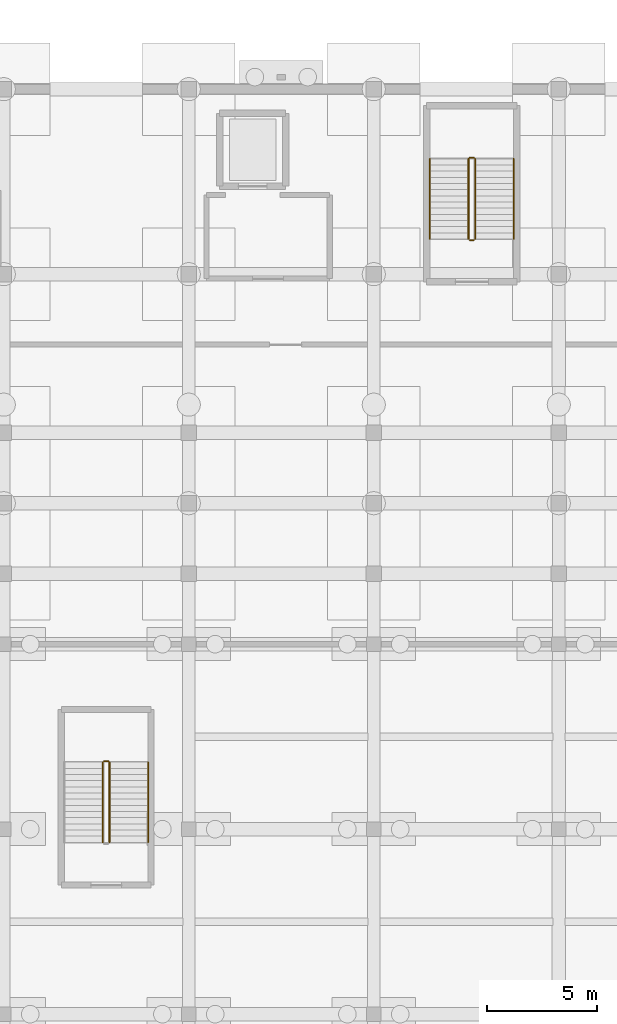
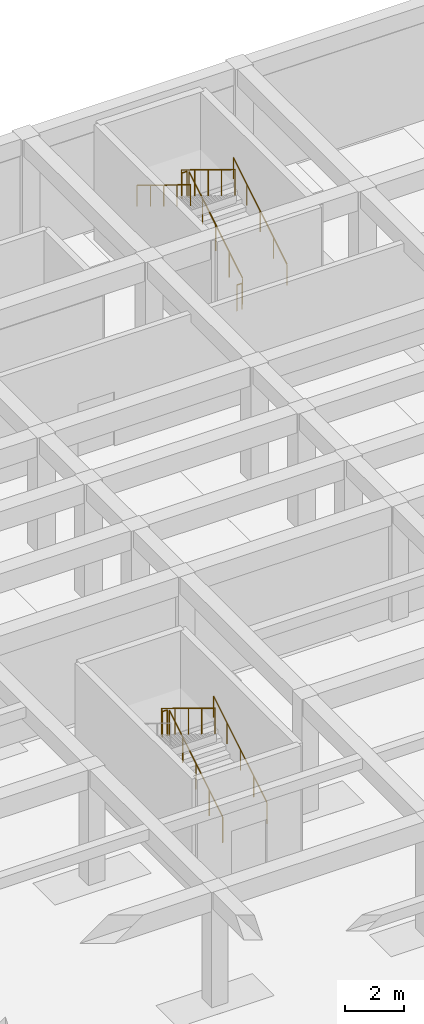
# One storey, part 41 of 51: 10 railings.
"""IFC4 building model written with IfcOpenShell, lengths in metres."""

from ifc_helpers import new_model, si_unit, direction, frame, origin, origin_2d, place, context, subcontext, project, spatial, circle, extrude, material, type_object, element, save


model = new_model("IFC4")

# Units and contexts
model_context = context("Model", 3, precision=1e-05, world=origin(), true_north=direction((0.0, 1.0)))
body_context = subcontext(model_context, "Body", "Model", "MODEL_VIEW")
ifc_project = project(units=[si_unit("LENGTHUNIT", "METRE"), si_unit("AREAUNIT", "SQUARE_METRE"), si_unit("VOLUMEUNIT", "CUBIC_METRE"), si_unit("PLANEANGLEUNIT", "RADIAN"), si_unit("MASSUNIT", "GRAM", prefix="KILO")], contexts=[model_context])

# Site, building, storey
site_placement = place(None, origin())
site = spatial("IfcSite", under=ifc_project, at=site_placement, CompositionType="ELEMENT")
building_placement = place(site_placement, origin())
building = spatial("IfcBuilding", under=site, at=building_placement, Name="Varncliffe General Hospital", CompositionType="ELEMENT")
storey_placement = place(building_placement, frame((0.0, 0.0, -4.800048828125)))
storey = spatial("IfcBuildingStorey", under=building, at=storey_placement, Name="B1", CompositionType="ELEMENT", Elevation=-4.800048828125)

# Railings
ifc_material = material(Name="Powder-coated hospital steel guardrail and handrail", Category="steel")
railing_type_1 = type_object("IfcRailingType", Name="Stair and Ramp Handrail HR46", PredefinedType="HANDRAIL", material=ifc_material)
railing_1_placement = place(storey_placement, frame((56.75, 118.0, 0.346923828125)))
element("IfcRailing", 1, at=railing_1_placement, inside=storey, type_object=railing_type_1, Name="B1 ST02 stair handrail 1", PredefinedType="HANDRAIL", context=body_context, shape_type="SweptSolid", body=[
    extrude(circle(Radius=0.02392578125, at=origin_2d()), frame((0.0, 0.0, 0.8759765625), z_axis=(0.0, 0.852850264322, 0.5221555579), x_axis=(-1.0, 0.0, 0.0)), (0.0, 0.0, 1.0), 4.267822265625),
    extrude(circle(Radius=0.02099609375, at=origin_2d()), origin(), (0.0, 0.0, 1.0), 0.851806640625),
    extrude(circle(Radius=0.02099609375, at=origin_2d()), frame((0.0, 0.909912109375, 0.55712890625)), (0.0, 0.0, 1.0), 0.851806640625),
    extrude(circle(Radius=0.02099609375, at=origin_2d()), frame((0.0, 1.81982421875, 1.1142578125)), (0.0, 0.0, 1.0), 0.851806640625),
    extrude(circle(Radius=0.02099609375, at=origin_2d()), frame((0.0, 2.72998046875, 1.67138671875)), (0.0, 0.0, 1.0), 0.851806640625),
    extrude(circle(Radius=0.02099609375, at=origin_2d()), frame((0.0, 3.639892578125, 2.228515625)), (0.0, 0.0, 1.0), 0.851806640625),
])
railing_2_placement = place(storey_placement, frame((52.949951171875, 121.639892578125, 2.746826171875)))
element("IfcRailing", 2, at=railing_2_placement, inside=storey, type_object=railing_type_1, Name="B1 ST02 stair handrail 2", PredefinedType="HANDRAIL", context=body_context, shape_type="SweptSolid", body=[
    extrude(circle(Radius=0.02392578125, at=origin_2d()), frame((0.0, 0.0, 0.8759765625), z_axis=(0.0, -0.852824790078, 0.522197163366), x_axis=(1.0, 0.0, 0.0)), (0.0, 0.0, 1.0), 4.26806640625),
    extrude(circle(Radius=0.02099609375, at=origin_2d()), origin(), (0.0, 0.0, 1.0), 0.851806640625),
    extrude(circle(Radius=0.02099609375, at=origin_2d()), frame((0.0, -0.909912109375, 0.55712890625)), (0.0, 0.0, 1.0), 0.851806640625),
    extrude(circle(Radius=0.02099609375, at=origin_2d()), frame((0.0, -1.81982421875, 1.1142578125)), (0.0, 0.0, 1.0), 0.851806640625),
    extrude(circle(Radius=0.02099609375, at=origin_2d()), frame((0.0, -2.72998046875, 1.671630859375)), (0.0, 0.0, 1.0), 0.851806640625),
    extrude(circle(Radius=0.02099609375, at=origin_2d()), frame((0.0, -3.639892578125, 2.228759765625)), (0.0, 0.0, 1.0), 0.851806640625),
])
railing_3_placement = place(storey_placement, frame((40.14990234375, 90.60009765625, 0.346923828125)))
element("IfcRailing", 3, at=railing_3_placement, inside=storey, type_object=railing_type_1, Name="B1 ST13 stair handrail 1", PredefinedType="HANDRAIL", context=body_context, shape_type="SweptSolid", body=[
    extrude(circle(Radius=0.02392578125, at=origin_2d()), frame((0.0, 0.0, 0.8759765625), z_axis=(0.0, 0.852850264322, 0.5221555579), x_axis=(-1.0, 0.0, 0.0)), (0.0, 0.0, 1.0), 4.267822265625),
    extrude(circle(Radius=0.02099609375, at=origin_2d()), origin(), (0.0, 0.0, 1.0), 0.851806640625),
    extrude(circle(Radius=0.02099609375, at=origin_2d()), frame((0.0, 0.909912109375, 0.55712890625)), (0.0, 0.0, 1.0), 0.851806640625),
    extrude(circle(Radius=0.02099609375, at=origin_2d()), frame((0.0, 1.81982421875, 1.1142578125)), (0.0, 0.0, 1.0), 0.851806640625),
    extrude(circle(Radius=0.02099609375, at=origin_2d()), frame((0.0, 2.72998046875, 1.67138671875)), (0.0, 0.0, 1.0), 0.851806640625),
    extrude(circle(Radius=0.02099609375, at=origin_2d()), frame((0.0, 3.639892578125, 2.228515625)), (0.0, 0.0, 1.0), 0.851806640625),
])
railing_type_2 = type_object("IfcRailingType", Name="Stairwell Guardrail SG49", PredefinedType="GUARDRAIL", material=ifc_material)
railing_4_placement = place(storey_placement, frame((55.0, 118.0, 0.17138671875)))
element("IfcRailing", 4, at=railing_4_placement, inside=storey, type_object=railing_type_2, Name="B1 ST02 stair guard 1", PredefinedType="GUARDRAIL", context=body_context, shape_type="SweptSolid", body=[
    extrude(circle(Radius=0.02392578125, at=origin_2d()), frame((0.0, 0.0, 1.076171875), z_axis=(0.0, 0.852824790078, 0.522197163366), x_axis=(-1.0, 0.0, 0.0)), (0.0, 0.0, 1.0), 4.26806640625),
    extrude(circle(Radius=0.02099609375, at=origin_2d()), origin(), (0.0, 0.0, 1.0), 1.052001953125),
    extrude(circle(Radius=0.02099609375, at=origin_2d()), frame((0.0, 0.909912109375, 0.55712890625)), (0.0, 0.0, 1.0), 1.052001953125),
    extrude(circle(Radius=0.02099609375, at=origin_2d()), frame((0.0, 1.81982421875, 1.1142578125)), (0.0, 0.0, 1.0), 1.052001953125),
    extrude(circle(Radius=0.02099609375, at=origin_2d()), frame((0.0, 2.72998046875, 1.671630859375)), (0.0, 0.0, 1.0), 1.052001953125),
    extrude(circle(Radius=0.02099609375, at=origin_2d()), frame((0.0, 3.639892578125, 2.228759765625)), (0.0, 0.0, 1.0), 1.052001953125),
])
railing_5_placement = place(storey_placement, frame((54.949951171875, 121.68994140625, 2.400146484375)))
element("IfcRailing", 5, at=railing_5_placement, inside=storey, type_object=railing_type_2, Name="B1 ST02 stair guard 2", PredefinedType="GUARDRAIL", context=body_context, shape_type="SweptSolid", body=[
    extrude(circle(Radius=0.02392578125, at=origin_2d()), frame((0.0, 0.0, 1.076171875), z_axis=(-1.0, 0.0, 0.0), x_axis=(0.0, -1.0, 0.0)), (0.0, 0.0, 1.0), 0.199951171875),
    extrude(circle(Radius=0.02099609375, at=origin_2d()), origin(), (0.0, 0.0, 1.0), 1.052001953125),
    extrude(circle(Radius=0.02099609375, at=origin_2d()), frame((-0.199951171875, 0.0, 0.0)), (0.0, 0.0, 1.0), 1.052001953125),
])
railing_6_placement = place(storey_placement, frame((54.699951171875, 121.639892578125, 2.571533203125)))
element("IfcRailing", 6, at=railing_6_placement, inside=storey, type_object=railing_type_2, Name="B1 ST02 stair guard 3", PredefinedType="GUARDRAIL", context=body_context, shape_type="SweptSolid", body=[
    extrude(circle(Radius=0.02392578125, at=origin_2d()), frame((0.0, 0.0, 1.076171875), z_axis=(0.0, -0.852850264322, 0.5221555579), x_axis=(1.0, 0.0, 0.0)), (0.0, 0.0, 1.0), 4.267822265625),
    extrude(circle(Radius=0.02099609375, at=origin_2d()), origin(), (0.0, 0.0, 1.0), 1.052001953125),
    extrude(circle(Radius=0.02099609375, at=origin_2d()), frame((0.0, -0.909912109375, 0.55712890625)), (0.0, 0.0, 1.0), 1.052001953125),
    extrude(circle(Radius=0.02099609375, at=origin_2d()), frame((0.0, -1.81982421875, 1.1142578125)), (0.0, 0.0, 1.0), 1.052001953125),
    extrude(circle(Radius=0.02099609375, at=origin_2d()), frame((0.0, -2.72998046875, 1.67138671875)), (0.0, 0.0, 1.0), 1.052001953125),
    extrude(circle(Radius=0.02099609375, at=origin_2d()), frame((0.0, -3.639892578125, 2.228515625)), (0.0, 0.0, 1.0), 1.052001953125),
])
railing_7_placement = place(storey_placement, frame((54.949951171875, 117.949951171875, 0.0)))
element("IfcRailing", 7, at=railing_7_placement, inside=storey, type_object=railing_type_2, Name="B1 ST02 stair guard 4", PredefinedType="GUARDRAIL", context=body_context, shape_type="SweptSolid", body=[
    extrude(circle(Radius=0.02392578125, at=origin_2d()), frame((0.0, 0.0, 1.076171875), z_axis=(-1.0, 0.0, 0.0), x_axis=(0.0, -1.0, 0.0)), (0.0, 0.0, 1.0), 0.199951171875),
    extrude(circle(Radius=0.02099609375, at=origin_2d()), origin(), (0.0, 0.0, 1.0), 1.052001953125),
    extrude(circle(Radius=0.02099609375, at=origin_2d()), frame((-0.199951171875, 0.0, 0.0)), (0.0, 0.0, 1.0), 1.052001953125),
])
railing_8_placement = place(storey_placement, frame((38.39990234375, 90.60009765625, 0.17138671875)))
element("IfcRailing", 8, at=railing_8_placement, inside=storey, type_object=railing_type_2, Name="B1 ST13 stair guard 1", PredefinedType="GUARDRAIL", context=body_context, shape_type="SweptSolid", body=[
    extrude(circle(Radius=0.02392578125, at=origin_2d()), frame((0.0, 0.0, 1.076171875), z_axis=(0.0, 0.852824790078, 0.522197163366), x_axis=(-1.0, 0.0, 0.0)), (0.0, 0.0, 1.0), 4.26806640625),
    extrude(circle(Radius=0.02099609375, at=origin_2d()), origin(), (0.0, 0.0, 1.0), 1.052001953125),
    extrude(circle(Radius=0.02099609375, at=origin_2d()), frame((0.0, 0.909912109375, 0.55712890625)), (0.0, 0.0, 1.0), 1.052001953125),
    extrude(circle(Radius=0.02099609375, at=origin_2d()), frame((0.0, 1.81982421875, 1.1142578125)), (0.0, 0.0, 1.0), 1.052001953125),
    extrude(circle(Radius=0.02099609375, at=origin_2d()), frame((0.0, 2.72998046875, 1.671630859375)), (0.0, 0.0, 1.0), 1.052001953125),
    extrude(circle(Radius=0.02099609375, at=origin_2d()), frame((0.0, 3.639892578125, 2.228759765625)), (0.0, 0.0, 1.0), 1.052001953125),
])
railing_9_placement = place(storey_placement, frame((38.35009765625, 94.2900390625, 2.400146484375)))
element("IfcRailing", 9, at=railing_9_placement, inside=storey, type_object=railing_type_2, Name="B1 ST13 stair guard 2", PredefinedType="GUARDRAIL", context=body_context, shape_type="SweptSolid", body=[
    extrude(circle(Radius=0.02392578125, at=origin_2d()), frame((0.0, 0.0, 1.076171875), z_axis=(-1.0, 0.0, 0.0), x_axis=(0.0, -1.0, 0.0)), (0.0, 0.0, 1.0), 0.2001953125),
    extrude(circle(Radius=0.02099609375, at=origin_2d()), origin(), (0.0, 0.0, 1.0), 1.052001953125),
    extrude(circle(Radius=0.02099609375, at=origin_2d()), frame((-0.2001953125, 0.0, 0.0)), (0.0, 0.0, 1.0), 1.052001953125),
])
railing_10_placement = place(storey_placement, frame((38.10009765625, 94.239990234375, 2.571533203125)))
element("IfcRailing", 10, at=railing_10_placement, inside=storey, type_object=railing_type_2, Name="B1 ST13 stair guard 3", PredefinedType="GUARDRAIL", context=body_context, shape_type="SweptSolid", body=[
    extrude(circle(Radius=0.02392578125, at=origin_2d()), frame((0.0, 0.0, 1.076171875), z_axis=(0.0, -0.852850264322, 0.5221555579), x_axis=(1.0, 0.0, 0.0)), (0.0, 0.0, 1.0), 4.267822265625),
    extrude(circle(Radius=0.02099609375, at=origin_2d()), origin(), (0.0, 0.0, 1.0), 1.052001953125),
    extrude(circle(Radius=0.02099609375, at=origin_2d()), frame((0.0, -0.909912109375, 0.55712890625)), (0.0, 0.0, 1.0), 1.052001953125),
    extrude(circle(Radius=0.02099609375, at=origin_2d()), frame((0.0, -1.81982421875, 1.1142578125)), (0.0, 0.0, 1.0), 1.052001953125),
    extrude(circle(Radius=0.02099609375, at=origin_2d()), frame((0.0, -2.72998046875, 1.67138671875)), (0.0, 0.0, 1.0), 1.052001953125),
    extrude(circle(Radius=0.02099609375, at=origin_2d()), frame((0.0, -3.639892578125, 2.228515625)), (0.0, 0.0, 1.0), 1.052001953125),
])

save(model, "model.ifc")
